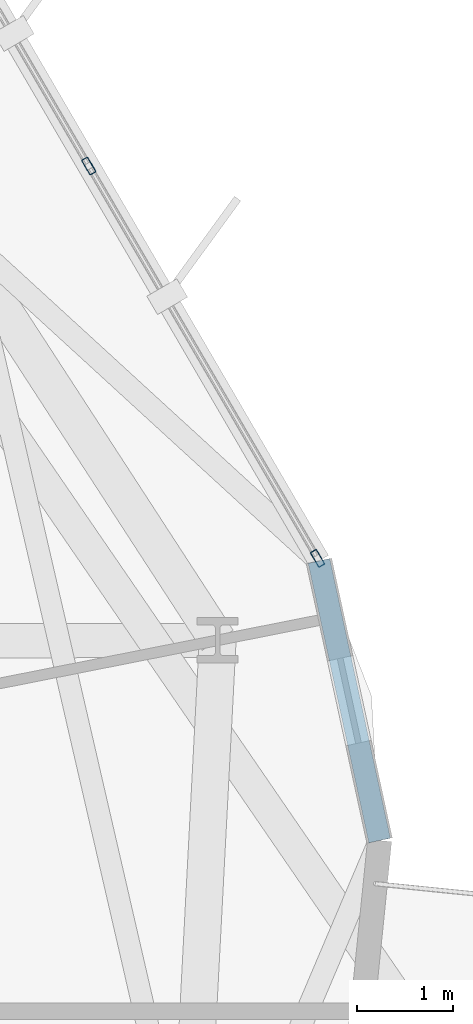
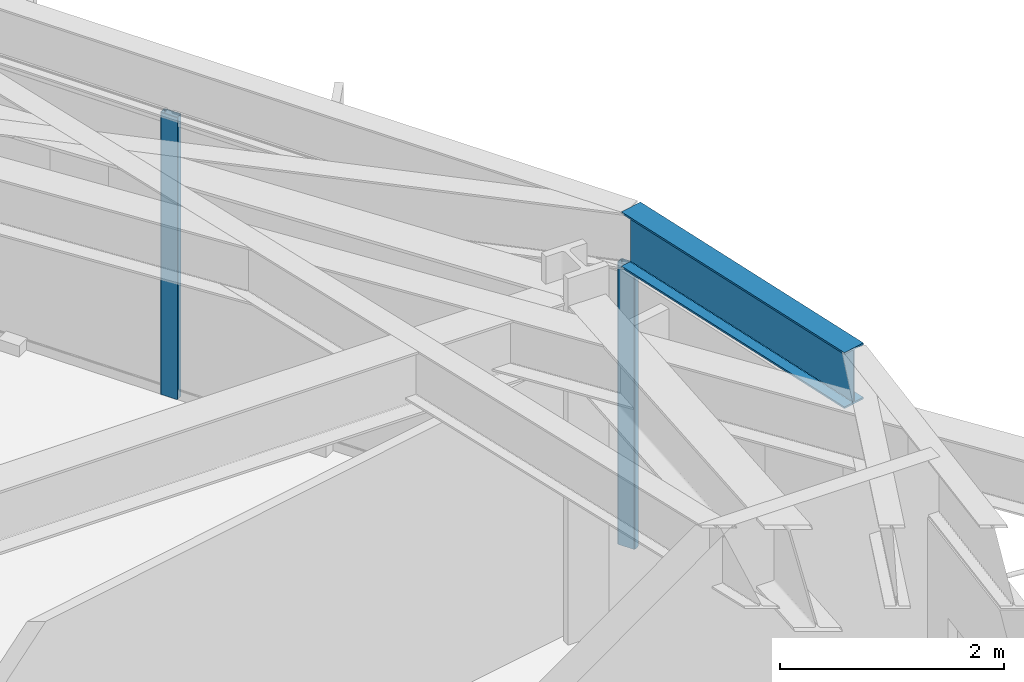
# One storey, part 10 of 22: 2 members, 1 beam, 1 element without a shape of its own.
"""IFC4 building model written with IfcOpenShell, lengths in metres."""

from ifc_helpers import new_model, si_unit, direction, frame, origin, origin_2d, place, context, subcontext, project, spatial, hollow_rectangle, i_section, extrude, material, layer, layer_set, material_profile, profile_set, type_object, element, aggregate, save


model = new_model("IFC4")

# Units and contexts
model_context = context("Model", 3, precision=1e-05, world=origin(), true_north=direction((0.0, 1.0)))
body_context = subcontext(model_context, "Body", "Model", "MODEL_VIEW")
ifc_project = project(units=[si_unit("LENGTHUNIT", "METRE"), si_unit("AREAUNIT", "SQUARE_METRE"), si_unit("VOLUMEUNIT", "CUBIC_METRE"), si_unit("PLANEANGLEUNIT", "RADIAN"), si_unit("MASSUNIT", "GRAM", prefix="KILO")], contexts=[model_context])

# Site, building, storey
site_placement = place(None, origin())
site = spatial("IfcSite", under=ifc_project, at=site_placement, CompositionType="ELEMENT")
building_placement = place(site_placement, origin())
building = spatial("IfcBuilding", under=site, at=building_placement, Name="Soratama Intermodal Tower", CompositionType="ELEMENT")
storey_placement = place(building_placement, frame((0.0, 0.0, 74.60009765625)))
storey = spatial("IfcBuildingStorey", under=building, at=storey_placement, Name="L17", CompositionType="ELEMENT", Elevation=74.60009765625)

# Beam
ifc_material_1 = material(Name="Structural steel ASTM A992 Grade 50", Category="steel")
ifc_material_profile_1 = material_profile(ifc_material_1, i_section(OverallWidth=0.22900390625, OverallDepth=0.612060546875, WebThickness=0.011962890625, FlangeThickness=0.01953125, FilletRadius=0.012939453125, at=origin_2d()), Name="W24X84")
ifc_profile_set_1 = profile_set([ifc_material_profile_1], Name="Structural steel ASTM A992 Grade 50")
beam_type = type_object("IfcBeamType", Name="BM-SPN-W24X84", PredefinedType="SPANDREL", material=ifc_profile_set_1)
beam_placement = place(storey_placement, frame((64.760986328125, 27.76904296875, 3.393798828125), z_axis=(-0.212012761333, 0.977266897542, 0.0), x_axis=(-0.977266897542, -0.212012761333, 0.0)))
element("IfcBeam", 1, at=beam_placement, inside=storey, type_object=beam_type, Name="BS-L17-CRN10", PredefinedType="SPANDREL", context=body_context, shape_type="SweptSolid", body=[
    extrude(i_section(OverallWidth=0.22900390625, OverallDepth=0.612060546875, WebThickness=0.011962890625, FlangeThickness=0.01953125, FilletRadius=0.012939453125, at=origin_2d()), origin(), (0.0, 0.0, 1.0), 2.96630859375),
])

# Curtain wall, members
ifc_material_2 = material(Name="Double-glazed aluminium curtain wall", Category="aluminium")
ifc_layer = layer(ifc_material_2, 0.159912109375)
ifc_layer_set = layer_set([ifc_layer], Name="Double-glazed aluminium curtain wall")
curtain_wall_type = type_object("IfcCurtainWallType", Name="CW-SYS-2", PredefinedType="NOTDEFINED", material=ifc_layer_set)
curtain_wall_placement = place(storey_placement, origin())
curtain_wall = element("IfcCurtainWall", 2, at=curtain_wall_placement, inside=storey, type_object=curtain_wall_type, Name="L17 Faceted Curtain Wall F01", PredefinedType="NOTDEFINED")
ifc_material_3 = material(Name="Anodised aluminium AA 6063-T6", Category="aluminium")
ifc_material_profile_2 = material_profile(ifc_material_3, hollow_rectangle(XDim=0.074951171875, YDim=0.179931640625, WallThickness=0.006103515625, InnerFilletRadius=0.006103515625, OuterFilletRadius=0.011962890625, at=origin_2d()), Name="CWM180X75X6")
ifc_profile_set_2 = profile_set([ifc_material_profile_2], Name="Anodised aluminium AA 6063-T6")
member_type = type_object("IfcMemberType", Name="MT-CWM-2", PredefinedType="MULLION", material=ifc_profile_set_2)
member_1_placement = place(storey_placement, frame((64.1171875, 30.6943359375, 0.0), z_axis=(0.0, 0.0, 1.0), x_axis=(-0.863925060088, -0.503620383377, 0.0)))
member_1 = element("IfcMember", 3, at=member_1_placement, type_object=member_type, Name="CW-2 mullion 1", PredefinedType="MULLION", context=body_context, shape_type="SweptSolid", body=[
    extrude(hollow_rectangle(XDim=0.074951171875, YDim=0.179931640625, WallThickness=0.006103515625, InnerFilletRadius=0.006103515625, OuterFilletRadius=0.011962890625, at=origin_2d()), origin(), (0.0, 0.0, 1.0), 3.078857421875),
])
member_2_placement = place(storey_placement, frame((61.745849609375, 34.761962890625, 0.0), z_axis=(0.0, 0.0, 1.0), x_axis=(-0.863925060088, -0.503620383377, 0.0)))
member_2 = element("IfcMember", 4, at=member_2_placement, type_object=member_type, Name="CW-2 mullion 2", PredefinedType="MULLION", context=body_context, shape_type="SweptSolid", body=[
    extrude(hollow_rectangle(XDim=0.074951171875, YDim=0.179931640625, WallThickness=0.006103515625, InnerFilletRadius=0.006103515625, OuterFilletRadius=0.011962890625, at=origin_2d()), origin(), (0.0, 0.0, 1.0), 3.078857421875),
])
aggregate(curtain_wall, [member_1, member_2])

save(model, "model.ifc")
